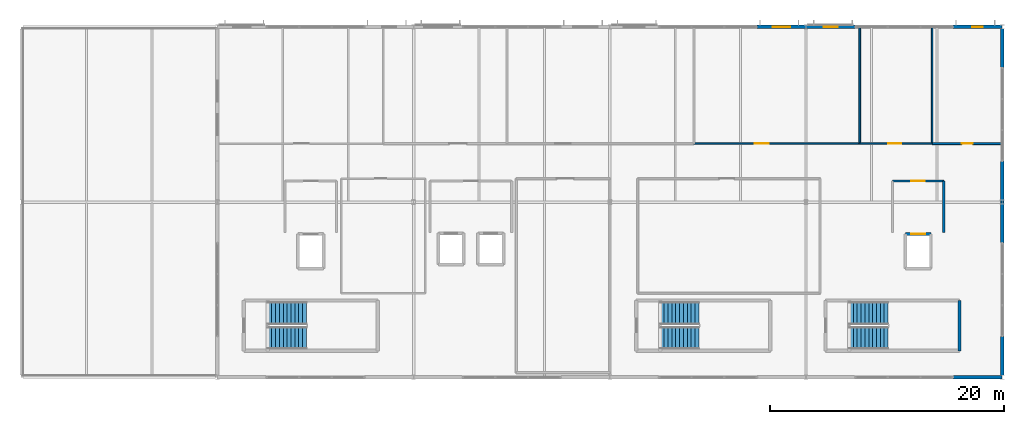
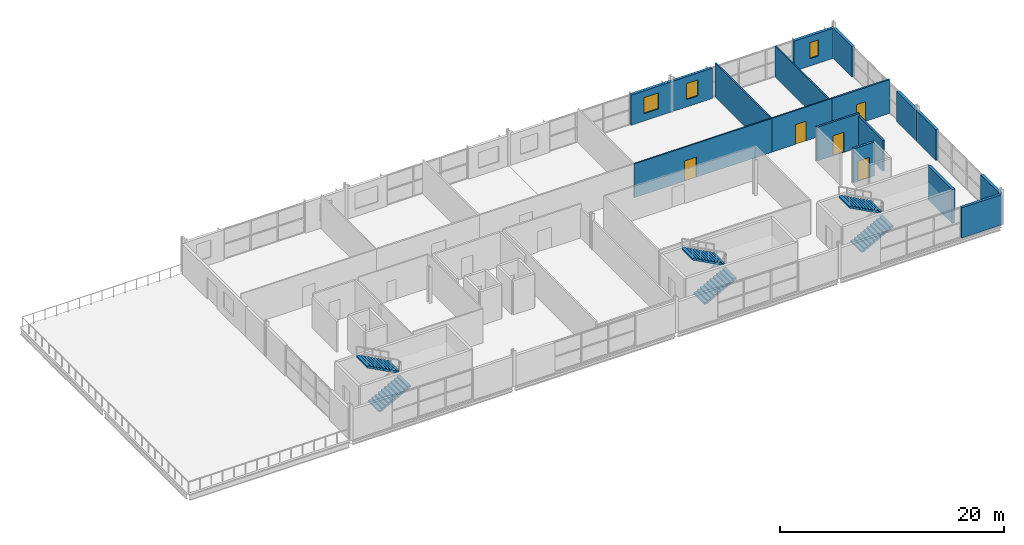
# One storey, part 15 of 18: 17 walls, 6 stair flights, 5 doors, 3 windows, 8 openings, 3 elements without a shape of their own.
"""IFC4 building model written with IfcOpenShell, lengths in metres."""

from ifc_helpers import new_model, si_unit, direction, frame, frame_2d, origin, place, context, subcontext, project, spatial, polyline, rectangle, outline, extrude, material, layer, layer_set, type_object, element, fill, aggregate, save


model = new_model("IFC4")

# Units and contexts
model_context = context("Model", 3, precision=1e-05, world=origin(), true_north=direction((0.0, 1.0)))
body_context = subcontext(model_context, "Body", "Model", "MODEL_VIEW")
ifc_project = project(units=[si_unit("LENGTHUNIT", "METRE"), si_unit("AREAUNIT", "SQUARE_METRE"), si_unit("VOLUMEUNIT", "CUBIC_METRE"), si_unit("PLANEANGLEUNIT", "RADIAN"), si_unit("MASSUNIT", "GRAM", prefix="KILO")], contexts=[model_context])

# Site, building, storey
site_placement = place(None, origin())
site = spatial("IfcSite", under=ifc_project, at=site_placement, CompositionType="ELEMENT")
building_placement = place(site_placement, origin())
building = spatial("IfcBuilding", under=site, at=building_placement, Name="Kimbaza Rail Terminus", CompositionType="ELEMENT")
storey_placement = place(building_placement, frame((0.0, 0.0, 24.89990234375)))
storey = spatial("IfcBuildingStorey", under=building, at=storey_placement, Name="L05", CompositionType="ELEMENT", Elevation=24.89990234375)

# Wall, opening, window
ifc_material_1 = material(Name="Precast concrete C40/50", Category="concrete")
ifc_layer_1 = layer(ifc_material_1, 0.280029296875)
ifc_layer_set_1 = layer_set([ifc_layer_1], Name="Precast concrete C40/50")
wall_type_1 = type_object("IfcWallType", Name="ARC-WL-EXT280", PredefinedType="STANDARD", material=ifc_layer_set_1)
wall_1_placement = place(storey_placement, frame((118.199951171875, 133.0, 0.0), z_axis=(0.0, 0.0, 1.0), x_axis=(1.0, 0.0, 0.0)))
wall_1 = element("IfcWall", 1, at=wall_1_placement, inside=storey, type_object=wall_type_1, Name="Operations North Pier L05 2B", PredefinedType="STANDARD", context=body_context, shape_type="SweptSolid", body=[
    extrude(rectangle(XDim=4.199951171875, YDim=0.280029296875, at=frame_2d((2.10009765625, 0.0))), origin(), (0.0, 0.0, 1.0), 3.300048828125),
])
opening_1_placement = place(wall_1_placement, frame((1.35009765625, 0.0, 0.800048828125)))
opening_1 = element("IfcOpeningElement", 2, at=opening_1_placement, cuts=wall_1, Name="Opening W-13", PredefinedType="OPENING", context=body_context, shape_type="SweptSolid", body=[
    extrude(rectangle(XDim=1.5, YDim=1.75, at=frame_2d((0.75, 0.875))), frame((0.0, 0.14990234375, 0.0), z_axis=(0.0, -1.0, 0.0), x_axis=(1.0, 0.0, 0.0)), (0.0, 0.0, 1.0), 0.300048828125),
])
ifc_material_2 = material(Name="Thermally broken aluminium and solar low-E glass", Category="aluminium")
window_type_1 = type_object("IfcWindowType", Name="ARC-WIN-W-13", PartitioningType="SINGLE_PANEL", PredefinedType="WINDOW", material=ifc_material_2)
window_1_placement = place(opening_1_placement, origin())
window_1 = element("IfcWindow", 3, at=window_1_placement, inside=storey, type_object=window_type_1, Name="North Facade Window W-13", OverallHeight=1.75, OverallWidth=1.5, PartitioningType="SINGLE_PANEL", PredefinedType="WINDOW", context=body_context, shape_type="SweptSolid", body=[
    extrude(rectangle(XDim=1.5, YDim=1.75, at=frame_2d((0.75, 0.875))), frame((0.0, 0.030029296875, 0.0), z_axis=(0.0, -1.0, 0.0), x_axis=(1.0, 0.0, 0.0)), (0.0, 0.0, 1.0), 0.06005859375),
])
fill(opening_1, window_1)

wall_2_placement = place(storey_placement, frame((122.39990234375, 133.0, 0.0), z_axis=(0.0, 0.0, 1.0), x_axis=(1.0, 0.0, 0.0)))
wall_2 = element("IfcWall", 4, at=wall_2_placement, inside=storey, type_object=wall_type_1, Name="Operations North Pier L05 3A", PredefinedType="STANDARD", context=body_context, shape_type="SweptSolid", body=[
    extrude(rectangle(XDim=4.2001953125, YDim=0.280029296875, at=frame_2d((2.10009765625, 0.0))), origin(), (0.0, 0.0, 1.0), 3.300048828125),
])
opening_2_placement = place(wall_2_placement, frame((1.5, 0.0, 0.800048828125)))
opening_2 = element("IfcOpeningElement", 5, at=opening_2_placement, cuts=wall_2, Name="Opening W-14", PredefinedType="OPENING", context=body_context, shape_type="SweptSolid", body=[
    extrude(rectangle(XDim=1.199951171875, YDim=1.75, at=frame_2d((0.60009765625, 0.875))), frame((0.0, 0.14990234375, 0.0), z_axis=(0.0, -1.0, 0.0), x_axis=(1.0, 0.0, 0.0)), (0.0, 0.0, 1.0), 0.300048828125),
])
ifc_material_3 = material(Name="Thermally broken aluminium and solar low-E glass", Category="aluminium")
window_type_2 = type_object("IfcWindowType", Name="ARC-WIN-W-14", PartitioningType="SINGLE_PANEL", PredefinedType="WINDOW", material=ifc_material_3)
window_2_placement = place(opening_2_placement, origin())
window_2 = element("IfcWindow", 6, at=window_2_placement, inside=storey, type_object=window_type_2, Name="North Facade Window W-14", OverallHeight=1.75, OverallWidth=1.199951171875, PartitioningType="SINGLE_PANEL", PredefinedType="WINDOW", context=body_context, shape_type="SweptSolid", body=[
    extrude(rectangle(XDim=1.199951171875, YDim=1.75, at=frame_2d((0.60009765625, 0.875))), frame((0.0, 0.030029296875, 0.0), z_axis=(0.0, -1.0, 0.0), x_axis=(1.0, 0.0, 0.0)), (0.0, 0.0, 1.0), 0.06005859375),
])
fill(opening_2, window_2)

wall_3_placement = place(storey_placement, frame((135.0, 133.0, 0.0), z_axis=(0.0, 0.0, 1.0), x_axis=(1.0, 0.0, 0.0)))
wall_3 = element("IfcWall", 7, at=wall_3_placement, inside=storey, type_object=wall_type_1, Name="Operations North Pier L05 3B", PredefinedType="STANDARD", context=body_context, shape_type="SweptSolid", body=[
    extrude(rectangle(XDim=4.199951171875, YDim=0.280029296875, at=frame_2d((2.10009765625, 0.0))), origin(), (0.0, 0.0, 1.0), 3.300048828125),
])
opening_3_placement = place(wall_3_placement, frame((1.64990234375, 0.0, 0.800048828125)))
opening_3 = element("IfcOpeningElement", 8, at=opening_3_placement, cuts=wall_3, Name="Opening W-15", PredefinedType="OPENING", context=body_context, shape_type="SweptSolid", body=[
    extrude(rectangle(XDim=0.89990234375, YDim=1.75, at=frame_2d((0.449951171875, 0.875))), frame((0.0, 0.14990234375, 0.0), z_axis=(0.0, -1.0, 0.0), x_axis=(1.0, 0.0, 0.0)), (0.0, 0.0, 1.0), 0.300048828125),
])
ifc_material_4 = material(Name="Thermally broken aluminium and solar low-E glass", Category="aluminium")
window_type_3 = type_object("IfcWindowType", Name="ARC-WIN-W-15", PartitioningType="SINGLE_PANEL", PredefinedType="WINDOW", material=ifc_material_4)
window_3_placement = place(opening_3_placement, origin())
window_3 = element("IfcWindow", 9, at=window_3_placement, inside=storey, type_object=window_type_3, Name="North Facade Window W-15", OverallHeight=1.75, OverallWidth=0.89990234375, PartitioningType="SINGLE_PANEL", PredefinedType="WINDOW", context=body_context, shape_type="SweptSolid", body=[
    extrude(rectangle(XDim=0.89990234375, YDim=1.75, at=frame_2d((0.449951171875, 0.875))), frame((0.0, 0.030029296875, 0.0), z_axis=(0.0, -1.0, 0.0), x_axis=(1.0, 0.0, 0.0)), (0.0, 0.0, 1.0), 0.06005859375),
])
fill(opening_3, window_3)

# Walls
wall_4_placement = place(storey_placement, frame((135.0, 103.0, 0.0), z_axis=(0.0, 0.0, 1.0), x_axis=(1.0, 0.0, 0.0)))
element("IfcWall", 10, at=wall_4_placement, inside=storey, type_object=wall_type_1, Name="Operations South Wall L05 3B", PredefinedType="STANDARD", context=body_context, shape_type="SweptSolid", body=[
    extrude(rectangle(XDim=4.199951171875, YDim=0.280029296875, at=frame_2d((2.10009765625, 0.0))), origin(), (0.0, 0.0, 1.0), 3.300048828125),
])
wall_5_placement = place(storey_placement, frame((139.199951171875, 103.139892578125, 0.0), z_axis=(0.0, 0.0, 1.0), x_axis=(0.0, 1.0, 0.0)))
element("IfcWall", 11, at=wall_5_placement, inside=storey, type_object=wall_type_1, Name="Operations E End Pier L05", PredefinedType="STANDARD", context=body_context, shape_type="SweptSolid", body=[
    extrude(rectangle(XDim=3.360107421875, YDim=0.280029296875, at=frame_2d((1.68017578125, 0.0))), origin(), (0.0, 0.0, 1.0), 3.300048828125),
])
for number, where, z_axis, x_axis, name in (
    (12, (139.199951171875, 114.5, 0.0), (0.0, 0.0, 1.0), (0.0, 1.0, 0.0), "Operations E Corner Wall L05"),
    (13, (139.199951171875, 118.0, 0.0), (0.0, 0.0, 1.0), (0.0, 1.0, 0.0), "Operations E End Pier L05"),
):
    element("IfcWall", number, at=place(storey_placement, frame(where, z_axis=z_axis, x_axis=x_axis)), inside=storey, type_object=wall_type_1, Name=name, PredefinedType="STANDARD", context=body_context, shape_type="SweptSolid", body=[
        extrude(rectangle(XDim=3.5, YDim=0.280029296875, at=frame_2d((1.75, 0.0))), origin(), (0.0, 0.0, 1.0), 3.300048828125),
    ])
wall_6_placement = place(storey_placement, frame((139.199951171875, 129.5, 0.0), z_axis=(0.0, 0.0, 1.0), x_axis=(0.0, 1.0, 0.0)))
element("IfcWall", 14, at=wall_6_placement, inside=storey, type_object=wall_type_1, Name="Operations E Corner Wall L05", PredefinedType="STANDARD", context=body_context, shape_type="SweptSolid", body=[
    extrude(rectangle(XDim=3.360107421875, YDim=0.280029296875, at=frame_2d((1.68017578125, 0.0))), origin(), (0.0, 0.0, 1.0), 3.300048828125),
])
ifc_material_5 = material(Name="Concrete blockwork C30/37", Category="masonry")
ifc_layer_2 = layer(ifc_material_5, 0.199951171875)
ifc_layer_set_2 = layer_set([ifc_layer_2], Name="Concrete blockwork C30/37")
wall_type_2 = type_object("IfcWallType", Name="ARC-WL-FIRE200", PredefinedType="PARTITIONING", material=ifc_layer_set_2)
wall_7_placement = place(storey_placement, frame((134.199951171875, 115.39990234375, 0.0), z_axis=(0.0, 0.0, 1.0), x_axis=(0.0, 1.0, 0.0)))
element("IfcWall", 15, at=wall_7_placement, inside=storey, type_object=wall_type_2, Name="Firefighting Lobby LF-02 Partition (east)", PredefinedType="PARTITIONING", context=body_context, shape_type="SweptSolid", body=[
    extrude(rectangle(XDim=4.400146484375, YDim=0.199951171875, at=frame_2d((2.2001953125, 0.0))), origin(), (0.0, 0.0, 1.0), 3.360107421875),
])

# Wall, opening, door
wall_8_placement = place(storey_placement, frame((134.199951171875, 119.800048828125, 0.0), z_axis=(0.0, 0.0, 1.0), x_axis=(-1.0, 0.0, 0.0)))
wall_8 = element("IfcWall", 16, at=wall_8_placement, inside=storey, type_object=wall_type_2, Name="Firefighting Lobby LF-02 Partition (north)", PredefinedType="PARTITIONING", context=body_context, shape_type="SweptSolid", body=[
    extrude(rectangle(XDim=4.39990234375, YDim=0.199951171875, at=frame_2d((2.199951171875, 0.0))), origin(), (0.0, 0.0, 1.0), 3.695068359375),
])
opening_4_placement = place(wall_8_placement, frame((1.625, 0.0, 0.0)))
opening_4 = element("IfcOpeningElement", 17, at=opening_4_placement, cuts=wall_8, Name="Opening FD-03", PredefinedType="OPENING", context=body_context, shape_type="SweptSolid", body=[
    extrude(rectangle(XDim=1.14990234375, YDim=2.199951171875, at=frame_2d((0.574951171875, 1.10009765625))), frame((0.0, 0.10986328125, 0.0), z_axis=(0.0, -1.0, 0.0), x_axis=(1.0, 0.0, 0.0)), (0.0, 0.0, 1.0), 0.219970703125),
])
ifc_material_6 = material(Name="Firefighting lobby self-closing steel door", Category="steel")
door_type_1 = type_object("IfcDoorType", Name="ARC-DR-FD115", OperationType="NOTDEFINED", PredefinedType="DOOR", material=ifc_material_6)
door_1_placement = place(opening_4_placement, origin())
door_1 = element("IfcDoor", 18, at=door_1_placement, inside=storey, type_object=door_type_1, Name="IDR-SPC-FFL-LF-02-L05", OperationType="SINGLE_SWING_RIGHT", OverallHeight=2.199951171875, OverallWidth=1.14990234375, PredefinedType="DOOR", context=body_context, shape_type="SweptSolid", body=[
    extrude(rectangle(XDim=1.14990234375, YDim=2.199951171875, at=frame_2d((0.574951171875, 1.10009765625))), frame((0.0, 0.02490234375, 0.0), z_axis=(0.0, -1.0, 0.0), x_axis=(1.0, 0.0, 0.0)), (0.0, 0.0, 1.0), 0.050048828125),
])
fill(opening_4, door_1)

ifc_material_7 = material(Name="Acoustic gypsum stud partition", Category="gypsum")
ifc_layer_3 = layer(ifc_material_7, 0.1298828125)
ifc_layer_set_3 = layer_set([ifc_layer_3], Name="Acoustic gypsum stud partition")
wall_type_3 = type_object("IfcWallType", Name="ARC-WL-PART130", PredefinedType="PARTITIONING", material=ifc_layer_set_3)
wall_9_placement = place(storey_placement, frame((127.0, 123.0, 0.0), z_axis=(0.0, 0.0, 1.0), x_axis=(1.0, 0.0, 0.0)))
wall_9 = element("IfcWall", 19, at=wall_9_placement, inside=storey, type_object=wall_type_3, Name="Audit and Rail Archive Office Partition (south)", PredefinedType="PARTITIONING", context=body_context, shape_type="SweptSolid", body=[
    extrude(rectangle(XDim=6.199951171875, YDim=0.1298828125, at=frame_2d((3.10009765625, 0.0))), origin(), (0.0, 0.0, 1.0), 3.695068359375),
])
opening_5_placement = place(wall_9_placement, frame((3.550048828125, 0.0, 0.0), z_axis=(0.0, 0.0, 1.0), x_axis=(-1.0, 0.0, 0.0)))
opening_5 = element("IfcOpeningElement", 20, at=opening_5_placement, cuts=wall_9, Name="Opening ID-04", PredefinedType="OPENING", context=body_context, shape_type="SweptSolid", body=[
    extrude(rectangle(XDim=1.10009765625, YDim=2.14990234375, at=frame_2d((0.550048828125, 1.074951171875))), frame((0.0, 0.074951171875, 0.0), z_axis=(0.0, -1.0, 0.0), x_axis=(1.0, 0.0, 0.0)), (0.0, 0.0, 1.0), 0.14990234375),
])
ifc_material_8 = material(Name="Hardwood veneer acoustic office door", Category="wood")
door_type_2 = type_object("IfcDoorType", Name="ARC-DR-ID110", OperationType="NOTDEFINED", PredefinedType="DOOR", material=ifc_material_8)
door_2_placement = place(opening_5_placement, origin())
door_2 = element("IfcDoor", 21, at=door_2_placement, inside=storey, type_object=door_type_2, Name="IDR-SPC-V5N-L05-05", OperationType="SINGLE_SWING_LEFT", OverallHeight=2.14990234375, OverallWidth=1.10009765625, PredefinedType="DOOR", context=body_context, shape_type="SweptSolid", body=[
    extrude(rectangle(XDim=1.10009765625, YDim=2.14990234375, at=frame_2d((0.550048828125, 1.074951171875))), frame((0.0, 0.02490234375, 0.0), z_axis=(0.0, -1.0, 0.0), x_axis=(1.0, 0.0, 0.0)), (0.0, 0.0, 1.0), 0.050048828125),
])
fill(opening_5, door_2)

# Wall
wall_10_placement = place(storey_placement, frame((133.199951171875, 123.0, 0.0), z_axis=(0.0, 0.0, 1.0), x_axis=(0.0, 1.0, 0.0)))
element("IfcWall", 22, at=wall_10_placement, inside=storey, type_object=wall_type_3, Name="Audit and Rail Archive Office Partition (east)", PredefinedType="PARTITIONING", context=body_context, shape_type="SweptSolid", body=[
    extrude(rectangle(XDim=9.97998046875, YDim=0.1298828125, at=frame_2d((4.989990234375, 0.0))), origin(), (0.0, 0.0, 1.0), 3.360107421875),
])

# Wall, opening, door
ifc_material_9 = material(Name="Acoustic gypsum stud partition", Category="gypsum")
ifc_layer_4 = layer(ifc_material_9, 0.139892578125)
ifc_layer_set_4 = layer_set([ifc_layer_4], Name="Acoustic gypsum stud partition")
wall_type_4 = type_object("IfcWallType", Name="ARC-WL-PART140", PredefinedType="PARTITIONING", material=ifc_layer_set_4)
wall_11_placement = place(storey_placement, frame((112.800048828125, 123.0, 0.0), z_axis=(0.0, 0.0, 1.0), x_axis=(1.0, 0.0, 0.0)))
wall_11 = element("IfcWall", 23, at=wall_11_placement, inside=storey, type_object=wall_type_4, Name="Station Operations Administration Partition (south)", PredefinedType="PARTITIONING", context=body_context, shape_type="SweptSolid", body=[
    extrude(rectangle(XDim=14.199951171875, YDim=0.139892578125, at=frame_2d((7.10009765625, 0.0))), origin(), (0.0, 0.0, 1.0), 3.695068359375),
])
opening_6_placement = place(wall_11_placement, frame((5.199951171875, 0.0, 0.0)))
opening_6 = element("IfcOpeningElement", 24, at=opening_6_placement, cuts=wall_11, Name="Opening ID-03", PredefinedType="OPENING", context=body_context, shape_type="SweptSolid", body=[
    extrude(rectangle(XDim=1.199951171875, YDim=2.199951171875, at=frame_2d((0.60009765625, 1.10009765625))), frame((0.0, 0.079833984375, 0.0), z_axis=(0.0, -1.0, 0.0), x_axis=(1.0, 0.0, 0.0)), (0.0, 0.0, 1.0), 0.159912109375),
])
ifc_material_10 = material(Name="Hardwood veneer acoustic room door", Category="wood")
door_type_3 = type_object("IfcDoorType", Name="ARC-DR-ID120", OperationType="NOTDEFINED", PredefinedType="DOOR", material=ifc_material_10)
door_3_placement = place(opening_6_placement, origin())
door_3 = element("IfcDoor", 25, at=door_3_placement, inside=storey, type_object=door_type_3, Name="IDR-SPC-V5N-L05-04", OperationType="SINGLE_SWING_RIGHT", OverallHeight=2.199951171875, OverallWidth=1.199951171875, PredefinedType="DOOR", context=body_context, shape_type="SweptSolid", body=[
    extrude(rectangle(XDim=1.199951171875, YDim=2.199951171875, at=frame_2d((0.60009765625, 1.10009765625))), frame((0.0, 0.02490234375, 0.0), z_axis=(0.0, -1.0, 0.0), x_axis=(1.0, 0.0, 0.0)), (0.0, 0.0, 1.0), 0.050048828125),
])
fill(opening_6, door_3)

# Wall
wall_12_placement = place(storey_placement, frame((127.0, 123.0, 0.0), z_axis=(0.0, 0.0, 1.0), x_axis=(0.0, 1.0, 0.0)))
element("IfcWall", 26, at=wall_12_placement, inside=storey, type_object=wall_type_4, Name="Station Operations Administration Partition (east)", PredefinedType="PARTITIONING", context=body_context, shape_type="SweptSolid", body=[
    extrude(rectangle(XDim=9.97998046875, YDim=0.139892578125, at=frame_2d((4.989990234375, 0.0))), origin(), (0.0, 0.0, 1.0), 3.695068359375),
])

# Wall, opening, door
ifc_material_11 = material(Name="Moisture-resistant blockwork C25/30", Category="masonry")
ifc_layer_5 = layer(ifc_material_11, 0.169921875)
ifc_layer_set_5 = layer_set([ifc_layer_5], Name="Moisture-resistant blockwork C25/30")
wall_type_5 = type_object("IfcWallType", Name="ARC-WL-PLMB170", PredefinedType="PLUMBINGWALL", material=ifc_layer_set_5)
wall_13_placement = place(storey_placement, frame((133.199951171875, 123.0, 0.0), z_axis=(0.0, 0.0, 1.0), x_axis=(1.0, 0.0, 0.0)))
wall_13 = element("IfcWall", 27, at=wall_13_placement, inside=storey, type_object=wall_type_5, Name="L05 Staff and Accessible WC Partition (south)", PredefinedType="PLUMBINGWALL", context=body_context, shape_type="SweptSolid", body=[
    extrude(rectangle(XDim=5.97998046875, YDim=0.169921875, at=frame_2d((2.989990234375, 0.0))), origin(), (0.0, 0.0, 1.0), 3.695068359375),
])
opening_7_placement = place(wall_13_placement, frame((2.52490234375, 0.0, 0.0)))
opening_7 = element("IfcOpeningElement", 28, at=opening_7_placement, cuts=wall_13, Name="Opening ID-06", PredefinedType="OPENING", context=body_context, shape_type="SweptSolid", body=[
    extrude(rectangle(XDim=0.949951171875, YDim=2.14990234375, at=frame_2d((0.47509765625, 1.074951171875))), frame((0.0, 0.094970703125, 0.0), z_axis=(0.0, -1.0, 0.0), x_axis=(1.0, 0.0, 0.0)), (0.0, 0.0, 1.0), 0.18994140625),
])
ifc_material_12 = material(Name="Accessible washroom outward-capable door", Category="wood")
door_type_4 = type_object("IfcDoorType", Name="ARC-DR-ID095", OperationType="NOTDEFINED", PredefinedType="DOOR", material=ifc_material_12)
door_4_placement = place(opening_7_placement, origin())
door_4 = element("IfcDoor", 29, at=door_4_placement, inside=storey, type_object=door_type_4, Name="IDR-SPC-V5N-L05-06", OperationType="SINGLE_SWING_RIGHT", OverallHeight=2.14990234375, OverallWidth=0.949951171875, PredefinedType="DOOR", context=body_context, shape_type="SweptSolid", body=[
    extrude(rectangle(XDim=0.949951171875, YDim=2.14990234375, at=frame_2d((0.47509765625, 1.074951171875))), frame((0.0, 0.02490234375, 0.0), z_axis=(0.0, -1.0, 0.0), x_axis=(1.0, 0.0, 0.0)), (0.0, 0.0, 1.0), 0.050048828125),
])
fill(opening_7, door_4)

ifc_material_13 = material(Name="Concrete C40/50", Category="concrete")
ifc_layer_6 = layer(ifc_material_13, 0.25)
ifc_layer_set_6 = layer_set([ifc_layer_6], Name="Concrete C40/50")
wall_type_6 = type_object("IfcWallType", Name="STR-WL-CORE250", PredefinedType="SHEAR", material=ifc_layer_set_6)
wall_14_placement = place(storey_placement, frame((133.080078125, 115.280029296875, 0.0), z_axis=(0.0, 0.0, 1.0), x_axis=(-1.0, 0.0, 0.0)))
wall_14 = element("IfcWall", 30, at=wall_14_placement, inside=storey, type_object=wall_type_6, Name="Lift Shaft Wall LF-02 L05-3", PredefinedType="SHEAR", context=body_context, shape_type="SweptSolid", body=[
    extrude(rectangle(XDim=2.16015625, YDim=0.25, at=frame_2d((1.080078125, 0.0))), origin(), (0.0, 0.0, 1.0), 3.695068359375),
])
opening_8_placement = place(wall_14_placement, frame((0.47998046875, 0.0, 0.0)))
opening_8 = element("IfcOpeningElement", 31, at=opening_8_placement, cuts=wall_14, Name="Opening LD-02", PredefinedType="OPENING", context=body_context, shape_type="SweptSolid", body=[
    extrude(rectangle(XDim=1.199951171875, YDim=2.199951171875, at=frame_2d((0.60009765625, 1.10009765625))), frame((0.0, 0.135009765625, 0.0), z_axis=(0.0, -1.0, 0.0), x_axis=(1.0, 0.0, 0.0)), (0.0, 0.0, 1.0), 0.27001953125),
])
ifc_material_14 = material(Name="Firefighting stainless steel landing door", Category="steel")
door_type_5 = type_object("IfcDoorType", Name="ARC-DR-LD120", OperationType="NOTDEFINED", PredefinedType="DOOR", material=ifc_material_14)
door_5_placement = place(opening_8_placement, origin())
door_5 = element("IfcDoor", 32, at=door_5_placement, inside=storey, type_object=door_type_5, Name="LDR-LF-02-L05", OperationType="SLIDING_TO_LEFT", OverallHeight=2.199951171875, OverallWidth=1.199951171875, PredefinedType="DOOR", context=body_context, shape_type="SweptSolid", body=[
    extrude(rectangle(XDim=1.199951171875, YDim=2.199951171875, at=frame_2d((0.60009765625, 1.10009765625))), frame((0.0, 0.02490234375, 0.0), z_axis=(0.0, -1.0, 0.0), x_axis=(1.0, 0.0, 0.0)), (0.0, 0.0, 1.0), 0.050048828125),
])
fill(opening_8, door_5)

# Wall
ifc_material_15 = material(Name="Concrete C40/50", Category="concrete")
ifc_layer_7 = layer(ifc_material_15, 0.280029296875)
ifc_layer_set_7 = layer_set([ifc_layer_7], Name="Concrete C40/50")
wall_type_7 = type_object("IfcWallType", Name="STR-WL-CORE280", PredefinedType="SHEAR", material=ifc_layer_set_7)
wall_15_placement = place(storey_placement, frame((135.5400390625, 105.260009765625, 0.0), z_axis=(0.0, 0.0, 1.0), x_axis=(0.0, 1.0, 0.0)))
element("IfcWall", 33, at=wall_15_placement, inside=storey, type_object=wall_type_7, Name="Operations East Exit Stair Shaft Wall L05-2", PredefinedType="SHEAR", context=body_context, shape_type="SweptSolid", body=[
    extrude(rectangle(XDim=4.320068359375, YDim=0.280029296875, at=frame_2d((2.16015625, 0.0))), origin(), (0.0, 0.0, 1.0), 3.695068359375),
])

# Stair, stair flights
ifc_material_16 = material(Name="Concrete C40/50", Category="concrete")
stair_type = type_object("IfcStairType", Name="ARC-STR-04", PredefinedType="HALF_TURN_STAIR", material=ifc_material_16)
stair_1_placement = place(storey_placement, origin())
stair_1 = element("IfcStair", 34, at=stair_1_placement, inside=storey, type_object=stair_type, Name="L05 Operations West Exit Stair", PredefinedType="HALF_TURN_STAIR")
ifc_material_17 = material(Name="Concrete C40/50", Category="concrete")
stair_flight_type = type_object("IfcStairFlightType", Name="ARC-SFL-04", PredefinedType="STRAIGHT", material=ifc_material_17)
stair_flight_1_placement = place(storey_placement, frame((76.320068359375, 106.360107421875, 0.0), z_axis=(0.0, 0.0, 1.0), x_axis=(1.0, 0.0, 0.0)))
stair_flight_1 = element("IfcStairFlight", 35, at=stair_flight_1_placement, type_object=stair_flight_type, Name="ST-W1 flight 1", NumberOfRisers=11, NumberOfTreads=10, PredefinedType="STRAIGHT", RiserHeight=0.177272727, TreadLength=0.33, context=body_context, shape_type="SweptSolid", body=[
    extrude(outline(polyline([(0.0, 0.0), (0.0, 0.17724609375), (0.330078125, 0.17724609375), (0.330078125, 0.3544921875), (0.659912109375, 0.3544921875), (0.659912109375, 0.53173828125), (0.989990234375, 0.53173828125), (0.989990234375, 0.708984375), (1.320068359375, 0.708984375), (1.320068359375, 0.886474609375), (1.64990234375, 0.886474609375), (1.64990234375, 1.063720703125), (1.97998046875, 1.063720703125), (1.97998046875, 1.240966796875), (2.31005859375, 1.240966796875), (2.31005859375, 1.418212890625), (2.639892578125, 1.418212890625), (2.639892578125, 1.595458984375), (2.969970703125, 1.595458984375), (2.969970703125, 1.772705078125), (3.300048828125, 1.772705078125), (3.300048828125, 1.949951171875), (3.300048828125, 1.6025390625), (0.316650390625, 0.0), (0.0, 0.0)])), frame((0.0, 0.9599609375, 0.0), z_axis=(0.0, -1.0, 0.0), x_axis=(1.0, 0.0, 0.0)), (0.0, 0.0, 1.0), 1.919921875),
])
stair_flight_2_placement = place(storey_placement, frame((79.6201171875, 108.47998046875, 1.9501953125), z_axis=(0.0, 0.0, 1.0), x_axis=(-1.0, 0.0, 0.0)))
stair_flight_2 = element("IfcStairFlight", 36, at=stair_flight_2_placement, type_object=stair_flight_type, Name="ST-W1 flight 2", NumberOfRisers=11, NumberOfTreads=10, PredefinedType="STRAIGHT", RiserHeight=0.177272727, TreadLength=0.33, context=body_context, shape_type="SweptSolid", body=[
    extrude(outline(polyline([(0.0, 0.0), (0.0, 0.17724609375), (0.330078125, 0.17724609375), (0.330078125, 0.3544921875), (0.659912109375, 0.3544921875), (0.659912109375, 0.53173828125), (0.989990234375, 0.53173828125), (0.989990234375, 0.708984375), (1.320068359375, 0.708984375), (1.320068359375, 0.886474609375), (1.64990234375, 0.886474609375), (1.64990234375, 1.063720703125), (1.97998046875, 1.063720703125), (1.97998046875, 1.240966796875), (2.31005859375, 1.240966796875), (2.31005859375, 1.418212890625), (2.639892578125, 1.418212890625), (2.639892578125, 1.595458984375), (2.969970703125, 1.595458984375), (2.969970703125, 1.772705078125), (3.300048828125, 1.772705078125), (3.300048828125, 1.949951171875), (3.300048828125, 1.6025390625), (0.316650390625, 0.0), (0.0, 0.0)])), frame((0.0, 0.9599609375, 0.0), z_axis=(0.0, -1.0, 0.0), x_axis=(1.0, 0.0, 0.0)), (0.0, 0.0, 1.0), 1.919921875),
])
aggregate(stair_1, [stair_flight_1, stair_flight_2])

stair_2_placement = place(storey_placement, origin())
stair_2 = element("IfcStair", 37, at=stair_2_placement, inside=storey, type_object=stair_type, Name="L05 Operations Central Exit Stair", PredefinedType="HALF_TURN_STAIR")
stair_flight_3_placement = place(storey_placement, frame((109.919921875, 106.360107421875, 0.0), z_axis=(0.0, 0.0, 1.0), x_axis=(1.0, 0.0, 0.0)))
stair_flight_3 = element("IfcStairFlight", 38, at=stair_flight_3_placement, type_object=stair_flight_type, Name="ST-M1 flight 1", NumberOfRisers=11, NumberOfTreads=10, PredefinedType="STRAIGHT", RiserHeight=0.177272727, TreadLength=0.33, context=body_context, shape_type="SweptSolid", body=[
    extrude(outline(polyline([(0.0, 0.0), (0.0, 0.17724609375), (0.330078125, 0.17724609375), (0.330078125, 0.3544921875), (0.659912109375, 0.3544921875), (0.659912109375, 0.53173828125), (0.989990234375, 0.53173828125), (0.989990234375, 0.708984375), (1.320068359375, 0.708984375), (1.320068359375, 0.886474609375), (1.64990234375, 0.886474609375), (1.64990234375, 1.063720703125), (1.97998046875, 1.063720703125), (1.97998046875, 1.240966796875), (2.31005859375, 1.240966796875), (2.31005859375, 1.418212890625), (2.639892578125, 1.418212890625), (2.639892578125, 1.595458984375), (2.969970703125, 1.595458984375), (2.969970703125, 1.772705078125), (3.300048828125, 1.772705078125), (3.300048828125, 1.949951171875), (3.300048828125, 1.6025390625), (0.316650390625, 0.0), (0.0, 0.0)])), frame((0.0, 0.9599609375, 0.0), z_axis=(0.0, -1.0, 0.0), x_axis=(1.0, 0.0, 0.0)), (0.0, 0.0, 1.0), 1.919921875),
])
stair_flight_4_placement = place(storey_placement, frame((113.219970703125, 108.47998046875, 1.9501953125), z_axis=(0.0, 0.0, 1.0), x_axis=(-1.0, 0.0, 0.0)))
stair_flight_4 = element("IfcStairFlight", 39, at=stair_flight_4_placement, type_object=stair_flight_type, Name="ST-M1 flight 2", NumberOfRisers=11, NumberOfTreads=10, PredefinedType="STRAIGHT", RiserHeight=0.177272727, TreadLength=0.33, context=body_context, shape_type="SweptSolid", body=[
    extrude(outline(polyline([(0.0, 0.0), (0.0, 0.17724609375), (0.330078125, 0.17724609375), (0.330078125, 0.3544921875), (0.659912109375, 0.3544921875), (0.659912109375, 0.53173828125), (0.989990234375, 0.53173828125), (0.989990234375, 0.708984375), (1.320068359375, 0.708984375), (1.320068359375, 0.886474609375), (1.64990234375, 0.886474609375), (1.64990234375, 1.063720703125), (1.97998046875, 1.063720703125), (1.97998046875, 1.240966796875), (2.31005859375, 1.240966796875), (2.31005859375, 1.418212890625), (2.639892578125, 1.418212890625), (2.639892578125, 1.595458984375), (2.969970703125, 1.595458984375), (2.969970703125, 1.772705078125), (3.300048828125, 1.772705078125), (3.300048828125, 1.949951171875), (3.300048828125, 1.6025390625), (0.316650390625, 0.0), (0.0, 0.0)])), frame((0.0, 0.9599609375, 0.0), z_axis=(0.0, -1.0, 0.0), x_axis=(1.0, 0.0, 0.0)), (0.0, 0.0, 1.0), 1.919921875),
])
aggregate(stair_2, [stair_flight_3, stair_flight_4])

stair_3_placement = place(storey_placement, origin())
stair_3 = element("IfcStair", 40, at=stair_3_placement, inside=storey, type_object=stair_type, Name="L05 Operations East Exit Stair", PredefinedType="HALF_TURN_STAIR")
stair_flight_5_placement = place(storey_placement, frame((126.1201171875, 106.360107421875, 0.0), z_axis=(0.0, 0.0, 1.0), x_axis=(1.0, 0.0, 0.0)))
stair_flight_5 = element("IfcStairFlight", 41, at=stair_flight_5_placement, type_object=stair_flight_type, Name="ST-E1 flight 1", NumberOfRisers=11, NumberOfTreads=10, PredefinedType="STRAIGHT", RiserHeight=0.177272727, TreadLength=0.33, context=body_context, shape_type="SweptSolid", body=[
    extrude(outline(polyline([(0.0, 0.0), (0.0, 0.17724609375), (0.330078125, 0.17724609375), (0.330078125, 0.3544921875), (0.659912109375, 0.3544921875), (0.659912109375, 0.53173828125), (0.989990234375, 0.53173828125), (0.989990234375, 0.708984375), (1.320068359375, 0.708984375), (1.320068359375, 0.886474609375), (1.64990234375, 0.886474609375), (1.64990234375, 1.063720703125), (1.97998046875, 1.063720703125), (1.97998046875, 1.240966796875), (2.31005859375, 1.240966796875), (2.31005859375, 1.418212890625), (2.639892578125, 1.418212890625), (2.639892578125, 1.595458984375), (2.969970703125, 1.595458984375), (2.969970703125, 1.772705078125), (3.300048828125, 1.772705078125), (3.300048828125, 1.949951171875), (3.300048828125, 1.6025390625), (0.316650390625, 0.0), (0.0, 0.0)])), frame((0.0, 0.9599609375, 0.0), z_axis=(0.0, -1.0, 0.0), x_axis=(1.0, 0.0, 0.0)), (0.0, 0.0, 1.0), 1.919921875),
])
stair_flight_6_placement = place(storey_placement, frame((129.419921875, 108.47998046875, 1.9501953125), z_axis=(0.0, 0.0, 1.0), x_axis=(-1.0, 0.0, 0.0)))
stair_flight_6 = element("IfcStairFlight", 42, at=stair_flight_6_placement, type_object=stair_flight_type, Name="ST-E1 flight 2", NumberOfRisers=11, NumberOfTreads=10, PredefinedType="STRAIGHT", RiserHeight=0.177272727, TreadLength=0.33, context=body_context, shape_type="SweptSolid", body=[
    extrude(outline(polyline([(0.0, 0.0), (0.0, 0.17724609375), (0.330078125, 0.17724609375), (0.330078125, 0.3544921875), (0.659912109375, 0.3544921875), (0.659912109375, 0.53173828125), (0.989990234375, 0.53173828125), (0.989990234375, 0.708984375), (1.320068359375, 0.708984375), (1.320068359375, 0.886474609375), (1.64990234375, 0.886474609375), (1.64990234375, 1.063720703125), (1.97998046875, 1.063720703125), (1.97998046875, 1.240966796875), (2.31005859375, 1.240966796875), (2.31005859375, 1.418212890625), (2.639892578125, 1.418212890625), (2.639892578125, 1.595458984375), (2.969970703125, 1.595458984375), (2.969970703125, 1.772705078125), (3.300048828125, 1.772705078125), (3.300048828125, 1.949951171875), (3.300048828125, 1.6025390625), (0.316650390625, 0.0), (0.0, 0.0)])), frame((0.0, 0.9599609375, 0.0), z_axis=(0.0, -1.0, 0.0), x_axis=(1.0, 0.0, 0.0)), (0.0, 0.0, 1.0), 1.919921875),
])
aggregate(stair_3, [stair_flight_5, stair_flight_6])

save(model, "model.ifc")
